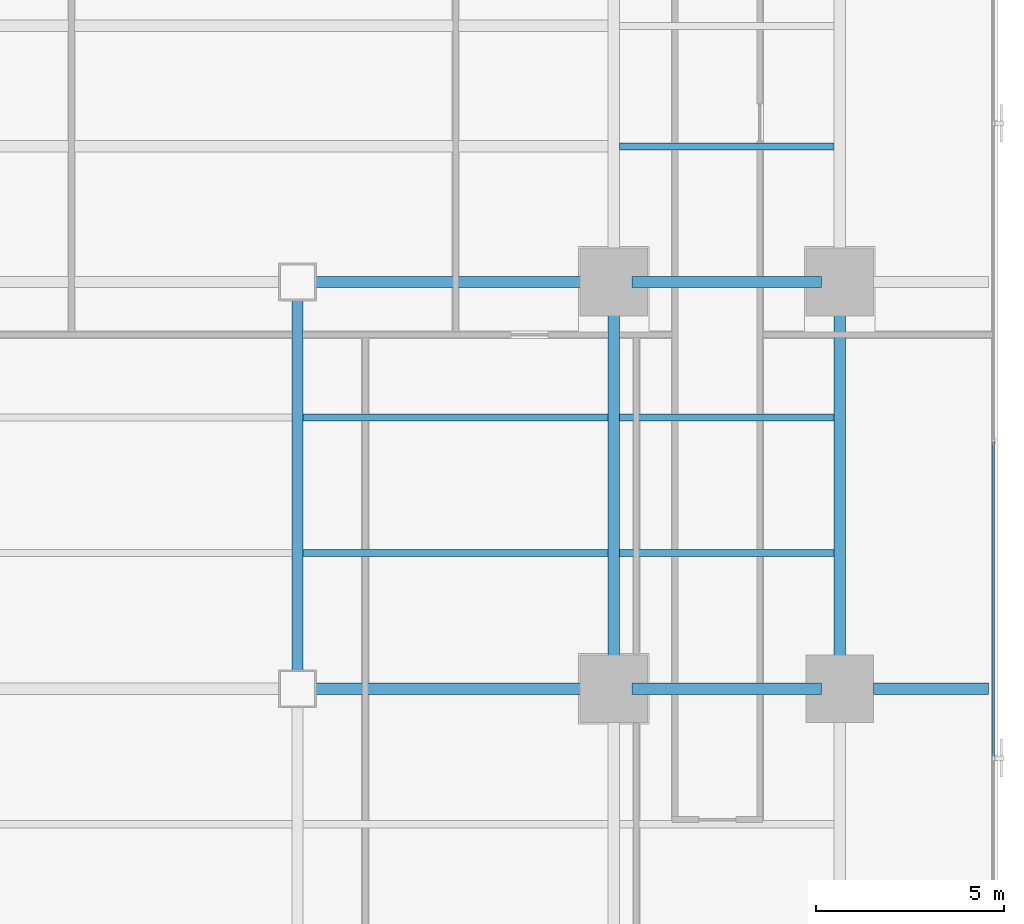
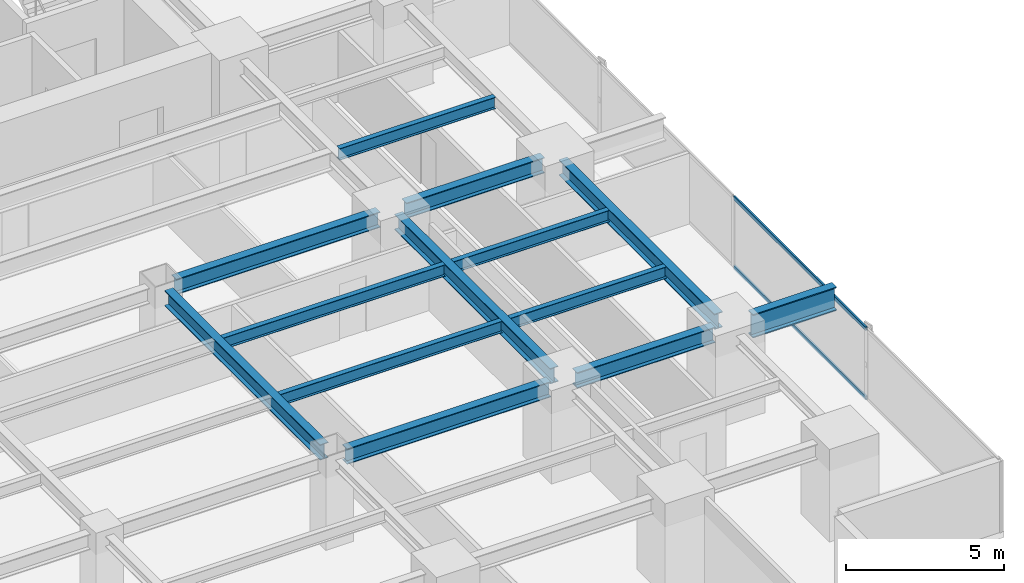
# One storey, part 13 of 32: 13 beams, 2 members, 1 element without a shape of its own.
"""IFC4 building model written with IfcOpenShell, lengths in metres."""

from ifc_helpers import new_model, si_unit, direction, frame, origin, origin_2d, place, context, subcontext, project, spatial, hollow_rectangle, i_section, extrude, source, transform, mapped, material, layer, layer_set, material_profile, profile_set, type_object, element, aggregate, save


model = new_model("IFC4")

# Units and contexts
model_context = context("Model", 3, precision=1e-05, world=origin(), true_north=direction((0.0, 1.0)))
body_context = subcontext(model_context, "Body", "Model", "MODEL_VIEW")
ifc_project = project(units=[si_unit("LENGTHUNIT", "METRE"), si_unit("AREAUNIT", "SQUARE_METRE"), si_unit("VOLUMEUNIT", "CUBIC_METRE"), si_unit("PLANEANGLEUNIT", "RADIAN"), si_unit("MASSUNIT", "GRAM", prefix="KILO")], contexts=[model_context])

# Site, building, storey
site_placement = place(None, origin())
site = spatial("IfcSite", under=ifc_project, at=site_placement, CompositionType="ELEMENT")
building_placement = place(site_placement, origin())
building = spatial("IfcBuilding", under=site, at=building_placement, Name="Sumidabori Civic Tower", CompositionType="ELEMENT")
storey_placement = place(building_placement, frame((0.0, 0.0, 45.199951171875)))
storey = spatial("IfcBuildingStorey", under=building, at=storey_placement, Name="L11", CompositionType="ELEMENT", Elevation=45.199951171875)

# Beams
ifc_material_1 = material(Name="Steel SN490", Category="steel")
ifc_material_profile_1 = material_profile(ifc_material_1, i_section(OverallWidth=0.300048828125, OverallDepth=0.60009765625, WebThickness=0.015380859375, FlangeThickness=0.030029296875, at=origin_2d()), Name="HE 600 B")
ifc_profile_set_1 = profile_set([ifc_material_profile_1], Name="Steel SN490")
beam_type_1 = type_object("IfcBeamType", Name="BM-GIRD-600", PredefinedType="BEAM", material=ifc_profile_set_1)
shared_shape_1 = source(origin(), body_context, "Body", "SweptSolid", [
    extrude(i_section(OverallWidth=0.300048828125, OverallDepth=0.60009765625, WebThickness=0.015380859375, FlangeThickness=0.030029296875, at=origin_2d()), origin(), (0.0, 0.0, 1.0), 5.0400390625),
])
for number, where, z_axis, x_axis, name in (
    (1, (17.280029296875, -10.800048828125, 3.06005859375), (1.0, 0.0, 0.0), (0.0, 1.0, 0.0), "Primary Girder L11 GX-12"),
    (2, (17.280029296875, 0.0, 3.06005859375), (1.0, 0.0, 0.0), (0.0, 1.0, 0.0), "Primary Girder L11 GX-18"),
):
    element("IfcBeam", number, at=place(storey_placement, frame(where, z_axis=z_axis, x_axis=x_axis)), inside=storey, type_object=beam_type_1, Name=name, PredefinedType="BEAM", context=body_context, shape_type="MappedRepresentation", body=[
        mapped(shared_shape_1, transform((0.0, 0.0, 0.0), x_axis=(1.0, 0.0, 0.0), y_axis=(0.0, 1.0, 0.0), z_axis=(0.0, 0.0, 1.0), scale=1.0)),
    ])
shared_shape_2 = source(origin(), body_context, "Body", "SweptSolid", [
    extrude(i_section(OverallWidth=0.300048828125, OverallDepth=0.60009765625, WebThickness=0.015380859375, FlangeThickness=0.030029296875, at=origin_2d()), origin(), (0.0, 0.0, 1.0), 7.440185546875),
])
for number, where, z_axis, x_axis, name in (
    (3, (8.8798828125, -10.800048828125, 3.06005859375), (1.0, 0.0, 0.0), (0.0, 1.0, 0.0), "Primary Girder L11 GX-11"),
    (4, (8.8798828125, 0.0, 3.06005859375), (1.0, 0.0, 0.0), (0.0, 1.0, 0.0), "Primary Girder L11 GX-17"),
):
    element("IfcBeam", number, at=place(storey_placement, frame(where, z_axis=z_axis, x_axis=x_axis)), inside=storey, type_object=beam_type_1, Name=name, PredefinedType="BEAM", context=body_context, shape_type="MappedRepresentation", body=[
        mapped(shared_shape_2, transform((0.0, 0.0, 0.0), x_axis=(1.0, 0.0, 0.0), y_axis=(0.0, 1.0, 0.0), z_axis=(0.0, 0.0, 1.0), scale=1.0)),
    ])
shared_shape_3 = source(origin(), body_context, "Body", "SweptSolid", [
    extrude(i_section(OverallWidth=0.300048828125, OverallDepth=0.60009765625, WebThickness=0.015380859375, FlangeThickness=0.030029296875, at=origin_2d()), origin(), (0.0, 0.0, 1.0), 9.840087890625),
])
for number, where, z_axis, x_axis, name in (
    (5, (8.39990234375, -10.320068359375, 3.06005859375), (0.0, 1.0, 0.0), (-1.0, 0.0, 0.0), "Primary Girder L11 GY-34"),
    (6, (16.800048828125, -10.320068359375, 3.06005859375), (0.0, 1.0, 0.0), (-1.0, 0.0, 0.0), "Primary Girder L11 GY-36"),
    (7, (22.800048828125, -10.320068359375, 3.06005859375), (0.0, 1.0, 0.0), (-1.0, 0.0, 0.0), "Primary Girder L11 GY-40"),
):
    element("IfcBeam", number, at=place(storey_placement, frame(where, z_axis=z_axis, x_axis=x_axis)), inside=storey, type_object=beam_type_1, Name=name, PredefinedType="BEAM", context=body_context, shape_type="MappedRepresentation", body=[
        mapped(shared_shape_3, transform((0.0, 0.0, 0.0), x_axis=(1.0, 0.0, 0.0), y_axis=(0.0, 1.0, 0.0), z_axis=(0.0, 0.0, 1.0), scale=1.0)),
    ])
ifc_material_profile_2 = material_profile(ifc_material_1, i_section(OverallWidth=0.302001953125, OverallDepth=0.909912109375, WebThickness=0.02099609375, FlangeThickness=0.0400390625, at=origin_2d()), Name="HE 900 M")
ifc_profile_set_2 = profile_set([ifc_material_profile_2], Name="Steel SN490")
beam_type_2 = type_object("IfcBeamType", Name="BM-Z1-EDGE", PredefinedType="SPANDREL", material=ifc_profile_set_2)
shared_shape_4 = source(origin(), body_context, "Body", "SweptSolid", [
    extrude(i_section(OverallWidth=0.302001953125, OverallDepth=0.909912109375, WebThickness=0.02099609375, FlangeThickness=0.0400390625, at=origin_2d()), origin(), (0.0, 0.0, 1.0), 3.050048828125),
])
beam_placement = place(storey_placement, frame((23.699951171875, -10.800048828125, 2.905029296875), z_axis=(1.0, 0.0, 0.0), x_axis=(0.0, 1.0, 0.0)))
element("IfcBeam", 8, at=beam_placement, inside=storey, type_object=beam_type_2, Name="Perimeter Overhang Beam L11 E-43", PredefinedType="SPANDREL", context=body_context, shape_type="MappedRepresentation", body=[
    mapped(shared_shape_4, transform((0.0, 0.0, 0.0), x_axis=(1.0, 0.0, 0.0), y_axis=(0.0, 1.0, 0.0), z_axis=(0.0, 0.0, 1.0), scale=1.0)),
])
ifc_material_profile_3 = material_profile(ifc_material_1, i_section(OverallWidth=0.18994140625, OverallDepth=0.449951171875, WebThickness=0.009521484375, FlangeThickness=0.0146484375, at=origin_2d()), Name="IPE 450")
ifc_profile_set_3 = profile_set([ifc_material_profile_3], Name="Steel SN490")
beam_type_3 = type_object("IfcBeamType", Name="BM-JST-450", PredefinedType="JOIST", material=ifc_profile_set_3)
shared_shape_5 = source(origin(), body_context, "Body", "SweptSolid", [
    extrude(i_section(OverallWidth=0.18994140625, OverallDepth=0.449951171875, WebThickness=0.009521484375, FlangeThickness=0.0146484375, at=origin_2d()), origin(), (0.0, 0.0, 1.0), 5.699951171875),
])
for number, where, z_axis, x_axis, name in (
    (9, (16.949951171875, -7.199951171875, 3.135009765625), (1.0, 0.0, 0.0), (0.0, 1.0, 0.0), "Outer Bay Floor Joist L11 JSTO-50"),
    (10, (16.949951171875, -3.60009765625, 3.135009765625), (1.0, 0.0, 0.0), (0.0, 1.0, 0.0), "Outer Bay Floor Joist L11 JSTO-52"),
    (11, (16.949951171875, 3.60009765625, 3.135009765625), (1.0, 0.0, 0.0), (0.0, 1.0, 0.0), "Outer Bay Floor Joist L11 JSTO-54"),
):
    element("IfcBeam", number, at=place(storey_placement, frame(where, z_axis=z_axis, x_axis=x_axis)), inside=storey, type_object=beam_type_3, Name=name, PredefinedType="JOIST", context=body_context, shape_type="MappedRepresentation", body=[
        mapped(shared_shape_5, transform((0.0, 0.0, 0.0), x_axis=(1.0, 0.0, 0.0), y_axis=(0.0, 1.0, 0.0), z_axis=(0.0, 0.0, 1.0), scale=1.0)),
    ])
shared_shape_6 = source(origin(), body_context, "Body", "SweptSolid", [
    extrude(i_section(OverallWidth=0.18994140625, OverallDepth=0.449951171875, WebThickness=0.009521484375, FlangeThickness=0.0146484375, at=origin_2d()), origin(), (0.0, 0.0, 1.0), 8.099853515625),
])
for number, where, z_axis, x_axis, name in (
    (12, (8.550048828125, -7.199951171875, 3.135009765625), (1.0, 0.0, 0.0), (0.0, 1.0, 0.0), "South Bay Floor Joist L11 JSTS-68"),
    (13, (8.550048828125, -3.60009765625, 3.135009765625), (1.0, 0.0, 0.0), (0.0, 1.0, 0.0), "South Bay Floor Joist L11 JSTS-72"),
):
    element("IfcBeam", number, at=place(storey_placement, frame(where, z_axis=z_axis, x_axis=x_axis)), inside=storey, type_object=beam_type_3, Name=name, PredefinedType="JOIST", context=body_context, shape_type="MappedRepresentation", body=[
        mapped(shared_shape_6, transform((0.0, 0.0, 0.0), x_axis=(1.0, 0.0, 0.0), y_axis=(0.0, 1.0, 0.0), z_axis=(0.0, 0.0, 1.0), scale=1.0)),
    ])

# Curtain wall, members
ifc_material_2 = material(Name="Anodised Bronze Aluminium AW-6063-T6", Category="aluminium")
ifc_layer = layer(ifc_material_2, 0.179931640625, Name="Anodised Bronze Aluminium AW-6063-T6")
ifc_layer_set = layer_set([ifc_layer], Name="Anodised Bronze Aluminium AW-6063-T6")
curtain_wall_type = type_object("IfcCurtainWallType", Name="CW-SYS-2", PredefinedType="NOTDEFINED", material=ifc_layer_set)
curtain_wall_placement = place(storey_placement, origin())
curtain_wall = element("IfcCurtainWall", 14, at=curtain_wall_placement, inside=storey, type_object=curtain_wall_type, Name="Curtain Wall CW:L11:R04", PredefinedType="NOTDEFINED")
ifc_material_profile_4 = material_profile(ifc_material_2, hollow_rectangle(XDim=0.06494140625, YDim=0.14990234375, WallThickness=0.0048828125, at=origin_2d()), Name="ALU TRANSOM 150x65")
ifc_profile_set_4 = profile_set([ifc_material_profile_4], Name="Anodised Bronze Aluminium AW-6063-T6")
member_type = type_object("IfcMemberType", Name="CW-TRN-150", PredefinedType="USERDEFINED", material=ifc_profile_set_4)
shared_shape_7 = source(origin(), body_context, "Body", "SweptSolid", [
    extrude(hollow_rectangle(XDim=0.06494140625, YDim=0.14990234375, WallThickness=0.0048828125, at=origin_2d()), origin(), (0.0, 0.0, 1.0), 8.35791015625),
])
member_1_placement = place(storey_placement, frame((26.8798828125, -12.60693359375, 0.032470703125), z_axis=(0.0, 1.0, 0.0), x_axis=(-1.0, 0.0, 0.0)))
member_1 = element("IfcMember", 15, at=member_1_placement, type_object=member_type, Name="CW-2 transom 2.1", ObjectType="TRANSOM", PredefinedType="USERDEFINED", context=body_context, shape_type="MappedRepresentation", body=[
    mapped(shared_shape_7, transform((0.0, 0.0, 0.0), x_axis=(1.0, 0.0, 0.0), y_axis=(0.0, 1.0, 0.0), z_axis=(0.0, 0.0, 1.0), scale=1.0)),
])
member_2_placement = place(storey_placement, frame((26.8798828125, -12.60693359375, 2.70751953125), z_axis=(0.0, 1.0, 0.0), x_axis=(-1.0, 0.0, 0.0)))
member_2 = element("IfcMember", 16, at=member_2_placement, type_object=member_type, Name="CW-2 transom 2.2", ObjectType="TRANSOM", PredefinedType="USERDEFINED", context=body_context, shape_type="MappedRepresentation", body=[
    mapped(shared_shape_7, transform((0.0, 0.0, 0.0), x_axis=(1.0, 0.0, 0.0), y_axis=(0.0, 1.0, 0.0), z_axis=(0.0, 0.0, 1.0), scale=1.0)),
])
aggregate(curtain_wall, [member_1, member_2])

save(model, "model.ifc")
